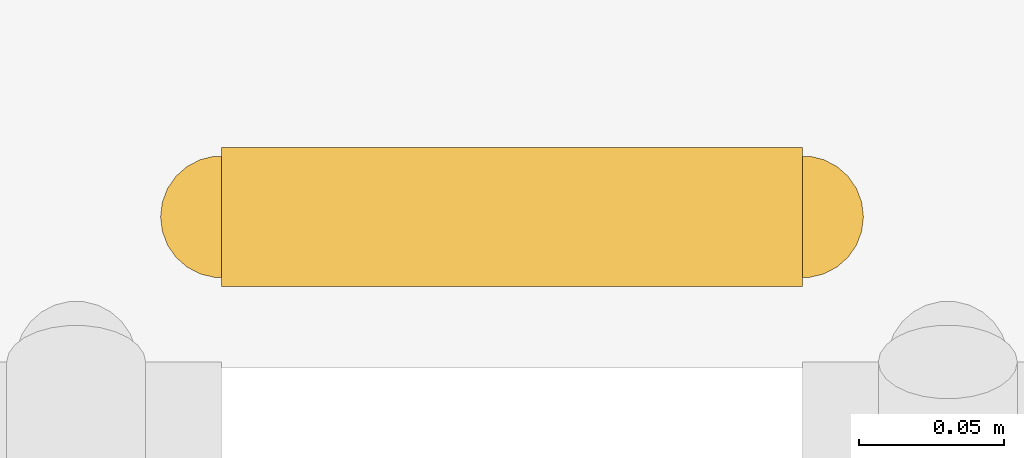
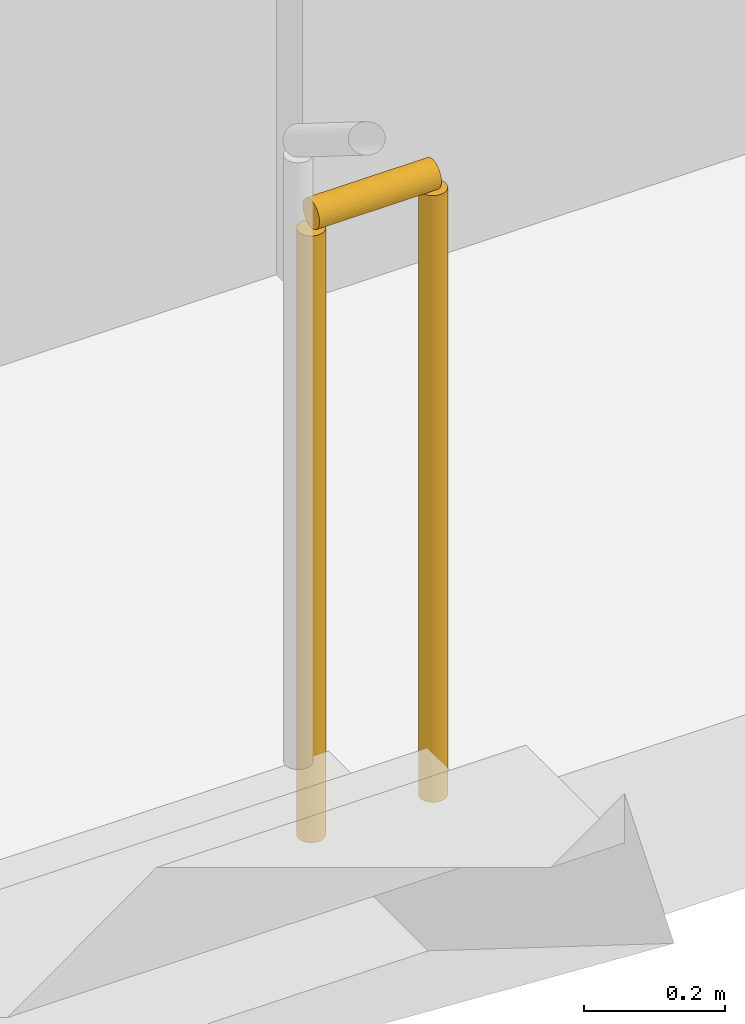
# One storey, part 22 of 22: 1 railing.
"""IFC4 building model written with IfcOpenShell, lengths in metres."""

from ifc_helpers import new_model, si_unit, direction, frame, origin, origin_2d, place, context, subcontext, project, spatial, circle, extrude, material, type_object, element, save


model = new_model("IFC4")

# Units and contexts
model_context = context("Model", 3, precision=1e-05, world=origin(), true_north=direction((0.0, 1.0)))
body_context = subcontext(model_context, "Body", "Model", "MODEL_VIEW")
ifc_project = project(units=[si_unit("LENGTHUNIT", "METRE"), si_unit("AREAUNIT", "SQUARE_METRE"), si_unit("VOLUMEUNIT", "CUBIC_METRE"), si_unit("PLANEANGLEUNIT", "RADIAN"), si_unit("MASSUNIT", "GRAM", prefix="KILO")], contexts=[model_context])

# Site, building, storey
site_placement = place(None, origin())
site = spatial("IfcSite", under=ifc_project, at=site_placement, CompositionType="ELEMENT")
building_placement = place(site_placement, origin())
building = spatial("IfcBuilding", under=site, at=building_placement, Name="Kiln Ring Residences", CompositionType="ELEMENT")
storey_placement = place(building_placement, frame((0.0, 0.0, 146.60009765625)))
storey = spatial("IfcBuildingStorey", under=building, at=storey_placement, Name="L37", CompositionType="ELEMENT", Elevation=146.60009765625)

# Railing
ifc_material = material(Name="Stainless steel", Category="steel")
railing_type = type_object("IfcRailingType", Name="CORE-STAIR-GUARD", PredefinedType="GUARDRAIL", material=ifc_material)
railing_placement = place(storey_placement, frame((22.0, 8.449951171875, 0.0)))
element("IfcRailing", 1, at=railing_placement, inside=storey, type_object=railing_type, Name="L37 E-STN stair guard 4", PredefinedType="GUARDRAIL", context=body_context, shape_type="SweptSolid", body=[
    extrude(circle(Radius=0.02392578125, at=origin_2d()), frame((0.0, 0.0, 1.076171875), z_axis=(1.0, 0.0, 0.0), x_axis=(0.0, 1.0, 0.0)), (0.0, 0.0, 1.0), 0.199951171875),
    extrude(circle(Radius=0.02099609375, at=origin_2d()), origin(), (0.0, 0.0, 1.0), 1.052001953125),
    extrude(circle(Radius=0.02099609375, at=origin_2d()), frame((0.199951171875, 0.0, 0.0)), (0.0, 0.0, 1.0), 1.052001953125),
])

save(model, "model.ifc")
